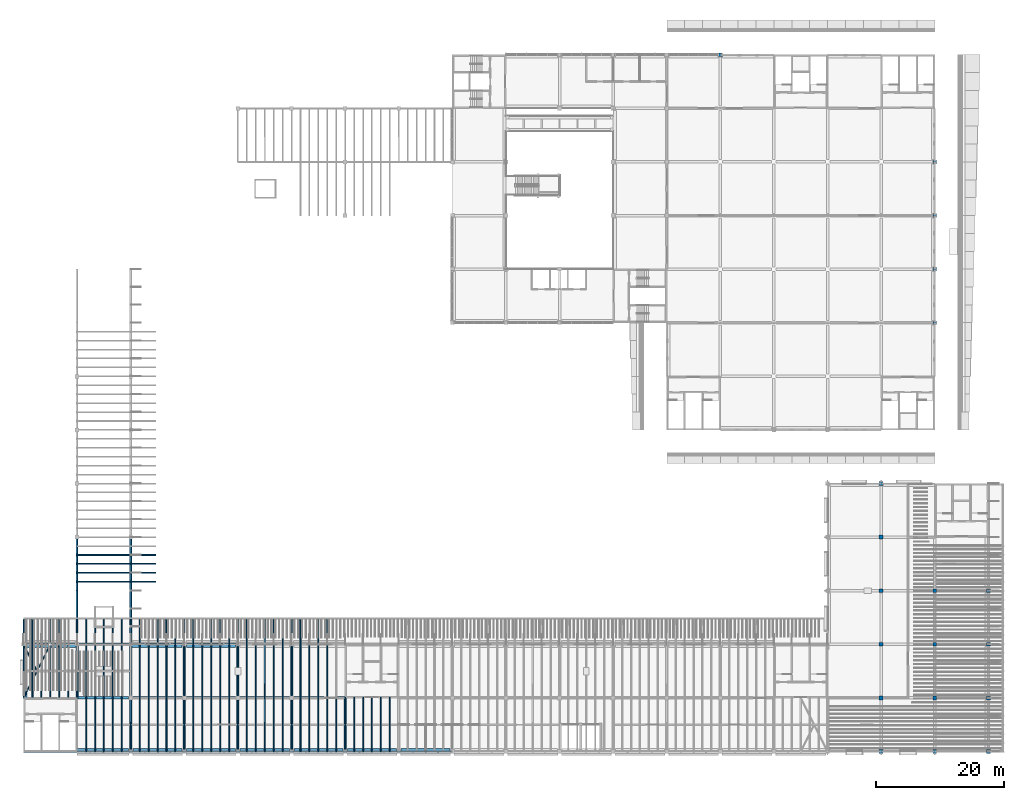
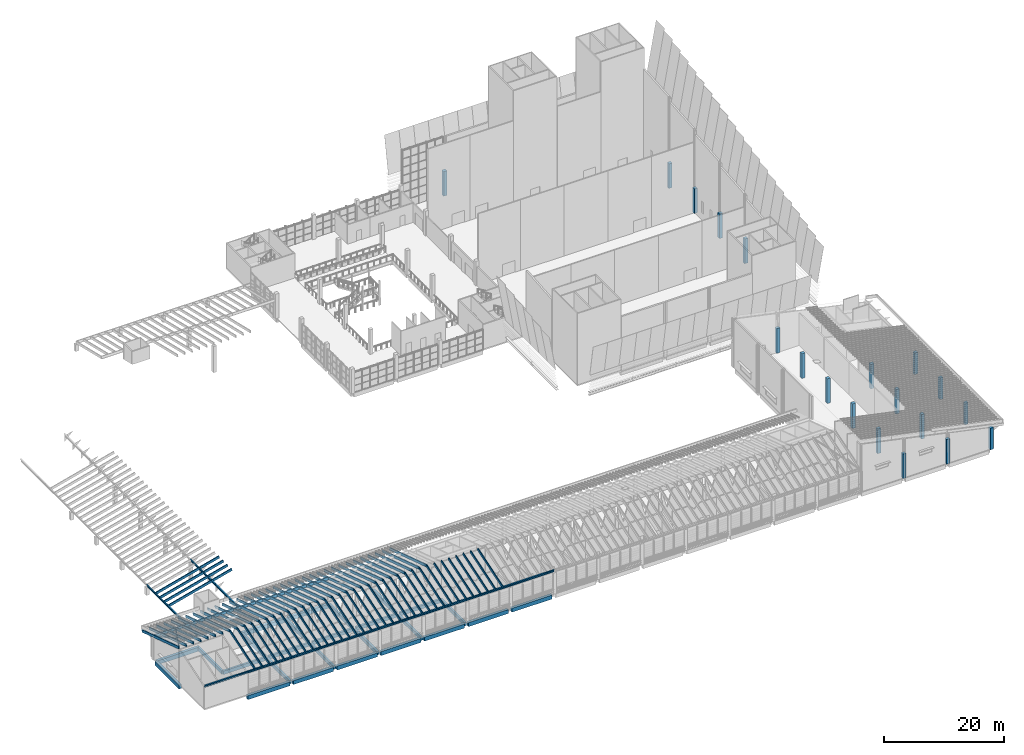
# One storey, part 3 of 59: 76 members, 42 beams, 19 columns.
"""IFC4 building model written with IfcOpenShell, lengths in metres."""

from ifc_helpers import new_model, si_unit, direction, frame, origin, origin_2d, place, context, subcontext, project, spatial, rectangle, hollow_circle, i_section, extrude, material, material_profile, profile_set, type_object, element, save


model = new_model("IFC4")

# Units and contexts
model_context = context("Model", 3, precision=1e-05, world=origin(), true_north=direction((0.0, 1.0)))
body_context = subcontext(model_context, "Body", "Model", "MODEL_VIEW")
ifc_project = project(units=[si_unit("LENGTHUNIT", "METRE"), si_unit("AREAUNIT", "SQUARE_METRE"), si_unit("VOLUMEUNIT", "CUBIC_METRE"), si_unit("PLANEANGLEUNIT", "RADIAN"), si_unit("MASSUNIT", "GRAM", prefix="KILO")], contexts=[model_context])

# Site, building, storey
site_placement = place(None, origin())
site = spatial("IfcSite", under=ifc_project, at=site_placement, CompositionType="ELEMENT")
building_placement = place(site_placement, origin())
building = spatial("IfcBuilding", under=site, at=building_placement, Name="Almond Square Museum", CompositionType="ELEMENT")
storey_placement = place(building_placement, frame((0.0, 0.0, 25.0)))
storey = spatial("IfcBuildingStorey", under=building, at=storey_placement, Name="L04", CompositionType="ELEMENT", Elevation=25.0)

# Columns
ifc_material_1 = material(Name="Concrete C40/50", Category="concrete")
ifc_material_profile_1 = material_profile(ifc_material_1, rectangle(XDim=0.60009765625, YDim=0.60009765625, at=origin_2d()))
ifc_profile_set_1 = profile_set([ifc_material_profile_1], Name="Concrete C40/50")
column_type = type_object("IfcColumnType", Name="RC column 600 x 600 C40/50", PredefinedType="COLUMN", material=ifc_profile_set_1)
for number, where, z_axis, x_axis, name in (
    (1, (115.199951171875, 109.199951171875, 0.0), (0.0, 0.0, 1.0), (1.0, 0.0, 0.0), "Column 15-N L04"),
    (2, (140.39990234375, 0.0, 0.0), (0.0, 0.0, 1.0), (1.0, 0.0, 0.0), "Column 18-A L04"),
    (3, (140.39990234375, 8.39990234375, 0.0), (0.0, 0.0, 1.0), (1.0, 0.0, 0.0), "Column 18-B L04"),
    (4, (140.39990234375, 16.800048828125, 0.0), (0.0, 0.0, 1.0), (1.0, 0.0, 0.0), "Column 18-C L04"),
    (5, (140.39990234375, 25.199951171875, 0.0), (0.0, 0.0, 1.0), (1.0, 0.0, 0.0), "Column 18-D L04"),
    (6, (140.39990234375, 33.60009765625, 0.0), (0.0, 0.0, 1.0), (1.0, 0.0, 0.0), "Column 18-E L04"),
    (7, (140.39990234375, 42.0, 0.0), (0.0, 0.0, 1.0), (1.0, 0.0, 0.0), "Column 18-F L04"),
    (8, (148.800048828125, 0.0, 0.0), (0.0, 0.0, 1.0), (1.0, 0.0, 0.0), "Column 19-A L04"),
    (9, (148.800048828125, 8.39990234375, 0.0), (0.0, 0.0, 1.0), (1.0, 0.0, 0.0), "Column 19-B L04"),
    (10, (148.800048828125, 16.800048828125, 0.0), (0.0, 0.0, 1.0), (1.0, 0.0, 0.0), "Column 19-C L04"),
    (11, (148.800048828125, 25.199951171875, 0.0), (0.0, 0.0, 1.0), (1.0, 0.0, 0.0), "Column 19-D L04"),
    (12, (148.800048828125, 67.199951171875, 0.0), (0.0, 0.0, 1.0), (1.0, 0.0, 0.0), "Column 19-I L04"),
    (13, (148.800048828125, 75.60009765625, 0.0), (0.0, 0.0, 1.0), (1.0, 0.0, 0.0), "Column 19-J L04"),
    (14, (148.800048828125, 84.0, 0.0), (0.0, 0.0, 1.0), (1.0, 0.0, 0.0), "Column 19-K L04"),
    (15, (148.800048828125, 92.39990234375, 0.0), (0.0, 0.0, 1.0), (1.0, 0.0, 0.0), "Column 19-L L04"),
):
    element("IfcColumn", number, at=place(storey_placement, frame(where, z_axis=z_axis, x_axis=x_axis)), inside=storey, type_object=column_type, Name=name, PredefinedType="COLUMN", context=body_context, shape_type="SweptSolid", body=[
        extrude(rectangle(XDim=0.60009765625, YDim=0.60009765625, at=origin_2d()), origin(), (0.0, 0.0, 1.0), 5.0),
    ])
for number, where, z_axis, x_axis, name in (
    (16, (157.199951171875, 0.0, 0.0), (0.0, 0.0, 1.0), (1.0, 0.0, 0.0), "Column 20-A L04"),
    (17, (157.199951171875, 8.39990234375, 0.0), (0.0, 0.0, 1.0), (1.0, 0.0, 0.0), "Column 20-B L04"),
    (18, (157.199951171875, 16.800048828125, 0.0), (0.0, 0.0, 1.0), (1.0, 0.0, 0.0), "Column 20-C L04"),
    (19, (157.199951171875, 25.199951171875, 0.0), (0.0, 0.0, 1.0), (1.0, 0.0, 0.0), "Column 20-D L04"),
):
    element("IfcColumn", number, at=place(storey_placement, frame(where, z_axis=z_axis, x_axis=x_axis)), inside=storey, type_object=column_type, Name=name, PredefinedType="COLUMN", context=body_context, shape_type="SweptSolid", body=[
        extrude(rectangle(XDim=0.60009765625, YDim=0.60009765625, at=origin_2d()), origin(), (0.0, 0.0, 1.0), 4.3525390625),
    ])

# Members
ifc_material_2 = material(Name="Glulam GL28h", Category="wood")
ifc_material_profile_2 = material_profile(ifc_material_2, rectangle(XDim=0.159912109375, YDim=0.5, at=origin_2d()))
ifc_profile_set_2 = profile_set([ifc_material_profile_2], Name="Glulam GL28h")
member_type_1 = type_object("IfcMemberType", Name="Glulam rafter GL28h 160x500", PredefinedType="RAFTER", material=ifc_profile_set_2)
for number, where, z_axis, x_axis, name in (
    (20, (14.39990234375, 26.60009765625, 1.838134765625), (0.96737379846, 0.0, 0.253353377821), (0.0, 1.0, 0.0), "V4W rafter 2.8"),
    (21, (14.39990234375, 28.0, 1.838134765625), (0.96737379846, 0.0, 0.253353377821), (0.0, 1.0, 0.0), "V4W rafter 2.9"),
    (22, (14.39990234375, 29.39990234375, 1.838134765625), (0.96737379846, 0.0, 0.253353377821), (0.0, 1.0, 0.0), "V4W rafter 2.10"),
    (23, (14.39990234375, 30.800048828125, 1.838134765625), (0.96737379846, 0.0, 0.253353377821), (0.0, 1.0, 0.0), "V4W rafter 2.11"),
):
    element("IfcMember", number, at=place(storey_placement, frame(where, z_axis=z_axis, x_axis=x_axis)), inside=storey, type_object=member_type_1, Name=name, PredefinedType="RAFTER", context=body_context, shape_type="SweptSolid", body=[
        extrude(rectangle(XDim=0.159912109375, YDim=0.5, at=origin_2d()), origin(), (0.0, 0.0, 1.0), 12.6630859375),
    ])
for number, where, z_axis, x_axis, name in (
    (24, (15.800048828125, 0.0, 4.632080078125), (0.0, 0.951058036, 0.309012317167), (-1.0, 0.0, 0.0), "V5S rafter 1.8"),
    (25, (17.199951171875, 0.0, 4.632080078125), (0.0, 0.951058036, 0.309012317167), (-1.0, 0.0, 0.0), "V5S rafter 1.9"),
    (26, (18.60009765625, 0.0, 4.632080078125), (0.0, 0.951058036, 0.309012317167), (-1.0, 0.0, 0.0), "V5S rafter 1.10"),
    (27, (20.0, 0.0, 4.632080078125), (0.0, 0.951058036, 0.309012317167), (-1.0, 0.0, 0.0), "V5S rafter 1.11"),
    (28, (21.39990234375, 0.0, 4.632080078125), (0.0, 0.951058036, 0.309012317167), (-1.0, 0.0, 0.0), "V5S rafter 1.12"),
    (29, (22.800048828125, 0.0, 4.632080078125), (0.0, 0.951058036, 0.309012317167), (-1.0, 0.0, 0.0), "V5S rafter 1.13"),
    (30, (24.199951171875, 0.0, 4.632080078125), (0.0, 0.951058036, 0.309012317167), (-1.0, 0.0, 0.0), "V5S rafter 1.14"),
    (31, (25.60009765625, 0.0, 4.632080078125), (0.0, 0.951058036, 0.309012317167), (-1.0, 0.0, 0.0), "V5S rafter 1.15"),
    (32, (27.0, 0.0, 4.632080078125), (0.0, 0.951058036, 0.309012317167), (-1.0, 0.0, 0.0), "V5S rafter 1.16"),
    (33, (28.39990234375, 0.0, 4.632080078125), (0.0, 0.951058036, 0.309012317167), (-1.0, 0.0, 0.0), "V5S rafter 1.17"),
    (34, (29.800048828125, 0.0, 4.632080078125), (0.0, 0.951058036, 0.309012317167), (-1.0, 0.0, 0.0), "V5S rafter 1.18"),
    (35, (31.199951171875, 0.0, 4.632080078125), (0.0, 0.951058036, 0.309012317167), (-1.0, 0.0, 0.0), "V5S rafter 1.19"),
    (36, (32.60009765625, 0.0, 4.632080078125), (0.0, 0.951058036, 0.309012317167), (-1.0, 0.0, 0.0), "V5S rafter 1.20"),
    (37, (34.0, 0.0, 4.632080078125), (0.0, 0.951058036, 0.309012317167), (-1.0, 0.0, 0.0), "V5S rafter 1.21"),
    (38, (35.39990234375, 0.0, 4.632080078125), (0.0, 0.951058036, 0.309012317167), (-1.0, 0.0, 0.0), "V5S rafter 1.22"),
    (39, (36.800048828125, 0.0, 4.632080078125), (0.0, 0.951058036, 0.309012317167), (-1.0, 0.0, 0.0), "V5S rafter 1.23"),
    (40, (38.199951171875, 0.0, 4.632080078125), (0.0, 0.951058036, 0.309012317167), (-1.0, 0.0, 0.0), "V5S rafter 1.24"),
    (41, (39.60009765625, 0.0, 4.632080078125), (0.0, 0.951058036, 0.309012317167), (-1.0, 0.0, 0.0), "V5S rafter 1.25"),
    (42, (41.0, 0.0, 4.632080078125), (0.0, 0.951058036, 0.309012317167), (-1.0, 0.0, 0.0), "V5S rafter 1.26"),
    (43, (42.39990234375, 0.0, 4.632080078125), (0.0, 0.951058036, 0.309012317167), (-1.0, 0.0, 0.0), "V5S rafter 1.27"),
    (44, (43.800048828125, 0.0, 4.632080078125), (0.0, 0.951058036, 0.309012317167), (-1.0, 0.0, 0.0), "V5S rafter 1.28"),
    (45, (45.199951171875, 0.0, 4.632080078125), (0.0, 0.951058036, 0.309012317167), (-1.0, 0.0, 0.0), "V5S rafter 1.29"),
    (46, (46.60009765625, 0.0, 4.632080078125), (0.0, 0.951058036, 0.309012317167), (-1.0, 0.0, 0.0), "V5S rafter 1.30"),
    (47, (48.0, 0.0, 4.632080078125), (0.0, 0.951058036, 0.309012317167), (-1.0, 0.0, 0.0), "V5S rafter 1.31"),
    (48, (49.39990234375, 0.0, 4.632080078125), (0.0, 0.951058036, 0.309012317167), (-1.0, 0.0, 0.0), "V5S rafter 1.32"),
    (49, (50.800048828125, 0.0, 4.632080078125), (0.0, 0.951058036, 0.309012317167), (-1.0, 0.0, 0.0), "V5S rafter 1.33"),
    (50, (52.199951171875, 0.0, 4.632080078125), (0.0, 0.951058036, 0.309012317167), (-1.0, 0.0, 0.0), "V5S rafter 1.34"),
    (51, (53.60009765625, 0.0, 4.632080078125), (0.0, 0.951058036, 0.309012317167), (-1.0, 0.0, 0.0), "V5S rafter 1.35"),
    (52, (55.0, 0.0, 4.632080078125), (0.0, 0.951058036, 0.309012317167), (-1.0, 0.0, 0.0), "V5S rafter 1.36"),
    (53, (56.39990234375, 0.0, 4.632080078125), (0.0, 0.951058036, 0.309012317167), (-1.0, 0.0, 0.0), "V5S rafter 1.37"),
    (54, (57.800048828125, 0.0, 4.632080078125), (0.0, 0.951058036, 0.309012317167), (-1.0, 0.0, 0.0), "V5S rafter 1.38"),
    (55, (59.199951171875, 0.0, 4.632080078125), (0.0, 0.951058036, 0.309012317167), (-1.0, 0.0, 0.0), "V5S rafter 1.39"),
    (56, (60.60009765625, 0.0, 4.632080078125), (0.0, 0.951058036, 0.309012317167), (-1.0, 0.0, 0.0), "V5S rafter 1.40"),
    (57, (62.0, 0.0, 4.632080078125), (0.0, 0.951058036, 0.309012317167), (-1.0, 0.0, 0.0), "V5S rafter 1.41"),
    (58, (63.39990234375, 0.0, 4.632080078125), (0.0, 0.951058036, 0.309012317167), (-1.0, 0.0, 0.0), "V5S rafter 1.42"),
):
    element("IfcMember", number, at=place(storey_placement, frame(where, z_axis=z_axis, x_axis=x_axis)), inside=storey, type_object=member_type_1, Name=name, PredefinedType="RAFTER", context=body_context, shape_type="SweptSolid", body=[
        extrude(rectangle(XDim=0.159912109375, YDim=0.5, at=origin_2d()), origin(), (0.0, 0.0, 1.0), 8.832275390625),
    ])
for number, where, z_axis, x_axis, name in (
    (59, (6.0, 8.39990234375, 7.361328125), (0.0, 0.951057467065, -0.309014068191), (-1.0, 0.0, 0.0), "V5S rafter 1.1"),
    (60, (7.39990234375, 8.39990234375, 7.361328125), (0.0, 0.951057467065, -0.309014068191), (-1.0, 0.0, 0.0), "V5S rafter 1.2"),
    (61, (8.800048828125, 8.39990234375, 7.361328125), (0.0, 0.951057467065, -0.309014068191), (-1.0, 0.0, 0.0), "V5S rafter 1.3"),
    (62, (10.199951171875, 8.39990234375, 7.361328125), (0.0, 0.951057467065, -0.309014068191), (-1.0, 0.0, 0.0), "V5S rafter 1.4"),
    (63, (11.60009765625, 8.39990234375, 7.361328125), (0.0, 0.951057467065, -0.309014068191), (-1.0, 0.0, 0.0), "V5S rafter 1.5"),
    (64, (13.0, 8.39990234375, 7.361328125), (0.0, 0.951057467065, -0.309014068191), (-1.0, 0.0, 0.0), "V5S rafter 1.6"),
    (65, (14.39990234375, 8.39990234375, 7.361328125), (0.0, 0.951057467065, -0.309014068191), (-1.0, 0.0, 0.0), "V5S rafter 1.7"),
    (66, (15.800048828125, 8.39990234375, 7.361328125), (0.0, 0.951057467065, -0.309014068191), (-1.0, 0.0, 0.0), "V5S rafter 1.8"),
    (67, (17.199951171875, 8.39990234375, 7.361328125), (0.0, 0.951057467065, -0.309014068191), (-1.0, 0.0, 0.0), "V5S rafter 1.9"),
    (68, (18.60009765625, 8.39990234375, 7.361328125), (0.0, 0.951057467065, -0.309014068191), (-1.0, 0.0, 0.0), "V5S rafter 1.10"),
    (69, (20.0, 8.39990234375, 7.361328125), (0.0, 0.951057467065, -0.309014068191), (-1.0, 0.0, 0.0), "V5S rafter 1.11"),
    (70, (21.39990234375, 8.39990234375, 7.361328125), (0.0, 0.951057467065, -0.309014068191), (-1.0, 0.0, 0.0), "V5S rafter 1.12"),
    (71, (22.800048828125, 8.39990234375, 7.361328125), (0.0, 0.951057467065, -0.309014068191), (-1.0, 0.0, 0.0), "V5S rafter 1.13"),
    (72, (24.199951171875, 8.39990234375, 7.361328125), (0.0, 0.951057467065, -0.309014068191), (-1.0, 0.0, 0.0), "V5S rafter 1.14"),
    (73, (25.60009765625, 8.39990234375, 7.361328125), (0.0, 0.951057467065, -0.309014068191), (-1.0, 0.0, 0.0), "V5S rafter 1.15"),
    (74, (27.0, 8.39990234375, 7.361328125), (0.0, 0.951057467065, -0.309014068191), (-1.0, 0.0, 0.0), "V5S rafter 1.16"),
    (75, (28.39990234375, 8.39990234375, 7.361328125), (0.0, 0.951057467065, -0.309014068191), (-1.0, 0.0, 0.0), "V5S rafter 1.17"),
    (76, (29.800048828125, 8.39990234375, 7.361328125), (0.0, 0.951057467065, -0.309014068191), (-1.0, 0.0, 0.0), "V5S rafter 1.18"),
    (77, (31.199951171875, 8.39990234375, 7.361328125), (0.0, 0.951057467065, -0.309014068191), (-1.0, 0.0, 0.0), "V5S rafter 1.19"),
    (78, (32.60009765625, 8.39990234375, 7.361328125), (0.0, 0.951057467065, -0.309014068191), (-1.0, 0.0, 0.0), "V5S rafter 1.20"),
    (79, (34.0, 8.39990234375, 7.361328125), (0.0, 0.951057467065, -0.309014068191), (-1.0, 0.0, 0.0), "V5S rafter 1.21"),
    (80, (35.39990234375, 8.39990234375, 7.361328125), (0.0, 0.951057467065, -0.309014068191), (-1.0, 0.0, 0.0), "V5S rafter 1.22"),
    (81, (36.800048828125, 8.39990234375, 7.361328125), (0.0, 0.951057467065, -0.309014068191), (-1.0, 0.0, 0.0), "V5S rafter 1.23"),
    (82, (38.199951171875, 8.39990234375, 7.361328125), (0.0, 0.951057467065, -0.309014068191), (-1.0, 0.0, 0.0), "V5S rafter 1.24"),
    (83, (39.60009765625, 8.39990234375, 7.361328125), (0.0, 0.951057467065, -0.309014068191), (-1.0, 0.0, 0.0), "V5S rafter 1.25"),
    (84, (41.0, 8.39990234375, 7.361328125), (0.0, 0.951057467065, -0.309014068191), (-1.0, 0.0, 0.0), "V5S rafter 1.26"),
    (85, (42.39990234375, 8.39990234375, 7.361328125), (0.0, 0.951057467065, -0.309014068191), (-1.0, 0.0, 0.0), "V5S rafter 1.27"),
    (86, (43.800048828125, 8.39990234375, 7.361328125), (0.0, 0.951057467065, -0.309014068191), (-1.0, 0.0, 0.0), "V5S rafter 1.28"),
    (87, (45.199951171875, 8.39990234375, 7.361328125), (0.0, 0.951057467065, -0.309014068191), (-1.0, 0.0, 0.0), "V5S rafter 1.29"),
    (88, (46.60009765625, 8.39990234375, 7.361328125), (0.0, 0.951057467065, -0.309014068191), (-1.0, 0.0, 0.0), "V5S rafter 1.30"),
    (89, (48.0, 8.39990234375, 7.361328125), (0.0, 0.951057467065, -0.309014068191), (-1.0, 0.0, 0.0), "V5S rafter 1.31"),
    (90, (49.39990234375, 8.39990234375, 7.361328125), (0.0, 0.951057467065, -0.309014068191), (-1.0, 0.0, 0.0), "V5S rafter 1.32"),
    (91, (50.800048828125, 8.39990234375, 7.361328125), (0.0, 0.951057467065, -0.309014068191), (-1.0, 0.0, 0.0), "V5S rafter 1.33"),
    (92, (52.199951171875, 8.39990234375, 7.361328125), (0.0, 0.951057467065, -0.309014068191), (-1.0, 0.0, 0.0), "V5S rafter 1.34"),
    (93, (53.60009765625, 8.39990234375, 7.361328125), (0.0, 0.951057467065, -0.309014068191), (-1.0, 0.0, 0.0), "V5S rafter 1.35"),
):
    element("IfcMember", number, at=place(storey_placement, frame(where, z_axis=z_axis, x_axis=x_axis)), inside=storey, type_object=member_type_1, Name=name, PredefinedType="RAFTER", context=body_context, shape_type="SweptSolid", body=[
        extrude(rectangle(XDim=0.159912109375, YDim=0.5, at=origin_2d()), origin(), (0.0, 0.0, 1.0), 12.88037109375),
    ])

# Beams
ifc_material_3 = material(Name="Concrete C40/50", Category="concrete")
ifc_material_profile_3 = material_profile(ifc_material_3, rectangle(XDim=0.39990234375, YDim=0.699951171875, at=origin_2d()))
ifc_profile_set_3 = profile_set([ifc_material_profile_3], Name="Concrete C40/50")
beam_type_1 = type_object("IfcBeamType", Name="RC beam 400 x 700 C40/50", PredefinedType="BEAM", material=ifc_profile_set_3)
beam_1_placement = place(storey_placement, frame((14.39990234375, 8.39990234375, -0.60009765625), z_axis=(1.0, 0.0, 0.0), x_axis=(0.0, 1.0, 0.0)))
element("IfcBeam", 94, at=beam_1_placement, inside=storey, type_object=beam_type_1, Name="Beam B 3-4 L04", PredefinedType="BEAM", context=body_context, shape_type="SweptSolid", body=[
    extrude(rectangle(XDim=0.39990234375, YDim=0.699951171875, at=origin_2d()), origin(), (0.0, 0.0, 1.0), 8.050048828125),
])
beam_2_placement = place(storey_placement, frame((23.14990234375, 8.39990234375, -0.60009765625), z_axis=(1.0, 0.0, 0.0), x_axis=(0.0, 1.0, 0.0)))
element("IfcBeam", 95, at=beam_2_placement, inside=storey, type_object=beam_type_1, Name="Beam B 4-5 L04", PredefinedType="BEAM", context=body_context, shape_type="SweptSolid", body=[
    extrude(rectangle(XDim=0.39990234375, YDim=0.699951171875, at=origin_2d()), origin(), (0.0, 0.0, 1.0), 7.7001953125),
])
for number, where, z_axis, x_axis, name in (
    (96, (31.550048828125, 8.39990234375, -0.60009765625), (1.0, 0.0, 0.0), (0.0, 1.0, 0.0), "Beam B 5-6 L04"),
    (97, (39.949951171875, 8.39990234375, -0.60009765625), (1.0, 0.0, 0.0), (0.0, 1.0, 0.0), "Beam B 6-7 L04"),
):
    element("IfcBeam", number, at=place(storey_placement, frame(where, z_axis=z_axis, x_axis=x_axis)), inside=storey, type_object=beam_type_1, Name=name, PredefinedType="BEAM", context=body_context, shape_type="SweptSolid", body=[
        extrude(rectangle(XDim=0.39990234375, YDim=0.699951171875, at=origin_2d()), origin(), (0.0, 0.0, 1.0), 7.699951171875),
    ])
beam_3_placement = place(storey_placement, frame((48.35009765625, 8.39990234375, -0.60009765625), z_axis=(1.0, 0.0, 0.0), x_axis=(0.0, 1.0, 0.0)))
element("IfcBeam", 98, at=beam_3_placement, inside=storey, type_object=beam_type_1, Name="Beam B 7-8 L04", PredefinedType="BEAM", context=body_context, shape_type="SweptSolid", body=[
    extrude(rectangle(XDim=0.39990234375, YDim=0.699951171875, at=origin_2d()), origin(), (0.0, 0.0, 1.0), 8.0498046875),
])
beam_4_placement = place(storey_placement, frame((14.39990234375, 8.39990234375, -0.60009765625), z_axis=(0.0, 1.0, 0.0), x_axis=(-1.0, 0.0, 0.0)))
element("IfcBeam", 99, at=beam_4_placement, inside=storey, type_object=beam_type_1, Name="Beam 3 B-C L04", PredefinedType="BEAM", context=body_context, shape_type="SweptSolid", body=[
    extrude(rectangle(XDim=0.39990234375, YDim=0.699951171875, at=origin_2d()), origin(), (0.0, 0.0, 1.0), 8.400146484375),
])
beam_5_placement = place(storey_placement, frame((22.800048828125, 0.35009765625, -0.60009765625), z_axis=(0.0, 1.0, 0.0), x_axis=(-1.0, 0.0, 0.0)))
element("IfcBeam", 100, at=beam_5_placement, inside=storey, type_object=beam_type_1, Name="Beam 4 A-B L04", PredefinedType="BEAM", context=body_context, shape_type="SweptSolid", body=[
    extrude(rectangle(XDim=0.39990234375, YDim=0.699951171875, at=origin_2d()), origin(), (0.0, 0.0, 1.0), 7.699951171875),
])
beam_6_placement = place(storey_placement, frame((22.800048828125, 8.75, -0.60009765625), z_axis=(0.0, 1.0, 0.0), x_axis=(-1.0, 0.0, 0.0)))
element("IfcBeam", 101, at=beam_6_placement, inside=storey, type_object=beam_type_1, Name="Beam 4 B-C L04", PredefinedType="BEAM", context=body_context, shape_type="SweptSolid", body=[
    extrude(rectangle(XDim=0.39990234375, YDim=0.699951171875, at=origin_2d()), origin(), (0.0, 0.0, 1.0), 8.050048828125),
])
for number, where, z_axis, x_axis, name in (
    (102, (31.199951171875, 0.35009765625, -0.60009765625), (0.0, 1.0, 0.0), (-1.0, 0.0, 0.0), "Beam 5 A-B L04"),
    (103, (31.199951171875, 8.75, -0.60009765625), (0.0, 1.0, 0.0), (-1.0, 0.0, 0.0), "Beam 5 B-C L04"),
    (104, (39.60009765625, 0.35009765625, -0.60009765625), (0.0, 1.0, 0.0), (-1.0, 0.0, 0.0), "Beam 6 A-B L04"),
    (105, (39.60009765625, 8.75, -0.60009765625), (0.0, 1.0, 0.0), (-1.0, 0.0, 0.0), "Beam 6 B-C L04"),
    (106, (48.0, 0.35009765625, -0.60009765625), (0.0, 1.0, 0.0), (-1.0, 0.0, 0.0), "Beam 7 A-B L04"),
    (107, (48.0, 8.75, -0.60009765625), (0.0, 1.0, 0.0), (-1.0, 0.0, 0.0), "Beam 7 B-C L04"),
):
    element("IfcBeam", number, at=place(storey_placement, frame(where, z_axis=z_axis, x_axis=x_axis)), inside=storey, type_object=beam_type_1, Name=name, PredefinedType="BEAM", context=body_context, shape_type="SweptSolid", body=[
        extrude(rectangle(XDim=0.39990234375, YDim=0.699951171875, at=origin_2d()), origin(), (0.0, 0.0, 1.0), 7.699951171875),
    ])
beam_7_placement = place(storey_placement, frame((56.39990234375, 0.35009765625, -0.60009765625), z_axis=(0.0, 1.0, 0.0), x_axis=(-1.0, 0.0, 0.0)))
element("IfcBeam", 108, at=beam_7_placement, inside=storey, type_object=beam_type_1, Name="Beam 8 A-B L04", PredefinedType="BEAM", context=body_context, shape_type="SweptSolid", body=[
    extrude(rectangle(XDim=0.39990234375, YDim=0.699951171875, at=origin_2d()), origin(), (0.0, 0.0, 1.0), 8.0498046875),
])
ifc_material_4 = material(Name="Concrete C40/50", Category="concrete")
ifc_material_profile_4 = material_profile(ifc_material_4, rectangle(XDim=0.5, YDim=0.800048828125, at=origin_2d()))
ifc_profile_set_4 = profile_set([ifc_material_profile_4], Name="Concrete C40/50")
beam_type_2 = type_object("IfcBeamType", Name="RC edge beam 500 x 800 C40/50", PredefinedType="BEAM", material=ifc_profile_set_4)
beam_8_placement = place(storey_placement, frame((14.39990234375, 0.25, -0.64990234375), z_axis=(1.0, 0.0, 0.0), x_axis=(0.0, 1.0, 0.0)))
element("IfcBeam", 109, at=beam_8_placement, inside=storey, type_object=beam_type_2, Name="Edge beam A 3-4 L04", PredefinedType="BEAM", context=body_context, shape_type="SweptSolid", body=[
    extrude(rectangle(XDim=0.5, YDim=0.800048828125, at=origin_2d()), origin(), (0.0, 0.0, 1.0), 8.050048828125),
])
beam_9_placement = place(storey_placement, frame((23.14990234375, 0.25, -0.64990234375), z_axis=(1.0, 0.0, 0.0), x_axis=(0.0, 1.0, 0.0)))
element("IfcBeam", 110, at=beam_9_placement, inside=storey, type_object=beam_type_2, Name="Edge beam A 4-5 L04", PredefinedType="BEAM", context=body_context, shape_type="SweptSolid", body=[
    extrude(rectangle(XDim=0.5, YDim=0.800048828125, at=origin_2d()), origin(), (0.0, 0.0, 1.0), 7.7001953125),
])
for number, where, z_axis, x_axis, name in (
    (111, (31.550048828125, 0.25, -0.64990234375), (1.0, 0.0, 0.0), (0.0, 1.0, 0.0), "Edge beam A 5-6 L04"),
    (112, (39.949951171875, 0.25, -0.64990234375), (1.0, 0.0, 0.0), (0.0, 1.0, 0.0), "Edge beam A 6-7 L04"),
    (113, (48.35009765625, 0.25, -0.64990234375), (1.0, 0.0, 0.0), (0.0, 1.0, 0.0), "Edge beam A 7-8 L04"),
    (114, (56.75, 0.25, -0.64990234375), (1.0, 0.0, 0.0), (0.0, 1.0, 0.0), "Edge beam A 8-9 L04"),
):
    element("IfcBeam", number, at=place(storey_placement, frame(where, z_axis=z_axis, x_axis=x_axis)), inside=storey, type_object=beam_type_2, Name=name, PredefinedType="BEAM", context=body_context, shape_type="SweptSolid", body=[
        extrude(rectangle(XDim=0.5, YDim=0.800048828125, at=origin_2d()), origin(), (0.0, 0.0, 1.0), 7.699951171875),
    ])
beam_10_placement = place(storey_placement, frame((65.14990234375, 0.25, -0.64990234375), z_axis=(1.0, 0.0, 0.0), x_axis=(0.0, 1.0, 0.0)))
element("IfcBeam", 115, at=beam_10_placement, inside=storey, type_object=beam_type_2, Name="Edge beam A 9-10 L04", PredefinedType="BEAM", context=body_context, shape_type="SweptSolid", body=[
    extrude(rectangle(XDim=0.5, YDim=0.800048828125, at=origin_2d()), origin(), (0.0, 0.0, 1.0), 7.7001953125),
])
beam_11_placement = place(storey_placement, frame((6.35009765625, 16.550048828125, -0.64990234375), z_axis=(1.0, 0.0, 0.0), x_axis=(0.0, 1.0, 0.0)))
element("IfcBeam", 116, at=beam_11_placement, inside=storey, type_object=beam_type_2, Name="Edge beam C 2-3 L04", PredefinedType="BEAM", context=body_context, shape_type="SweptSolid", body=[
    extrude(rectangle(XDim=0.5, YDim=0.800048828125, at=origin_2d()), origin(), (0.0, 0.0, 1.0), 8.0498046875),
])
beam_12_placement = place(storey_placement, frame((22.800048828125, 16.550048828125, -0.64990234375), z_axis=(1.0, 0.0, 0.0), x_axis=(0.0, 1.0, 0.0)))
element("IfcBeam", 117, at=beam_12_placement, inside=storey, type_object=beam_type_2, Name="Edge beam C 4-5 L04", PredefinedType="BEAM", context=body_context, shape_type="SweptSolid", body=[
    extrude(rectangle(XDim=0.5, YDim=0.800048828125, at=origin_2d()), origin(), (0.0, 0.0, 1.0), 8.050048828125),
])
beam_13_placement = place(storey_placement, frame((31.550048828125, 16.550048828125, -0.64990234375), z_axis=(1.0, 0.0, 0.0), x_axis=(0.0, 1.0, 0.0)))
element("IfcBeam", 118, at=beam_13_placement, inside=storey, type_object=beam_type_2, Name="Edge beam C 5-6 L04", PredefinedType="BEAM", context=body_context, shape_type="SweptSolid", body=[
    extrude(rectangle(XDim=0.5, YDim=0.800048828125, at=origin_2d()), origin(), (0.0, 0.0, 1.0), 7.699951171875),
])
beam_14_placement = place(storey_placement, frame((6.25, 8.39990234375, -0.64990234375), z_axis=(0.0, 1.0, 0.0), x_axis=(-1.0, 0.0, 0.0)))
element("IfcBeam", 119, at=beam_14_placement, inside=storey, type_object=beam_type_2, Name="Edge beam 2 B-C L04", PredefinedType="BEAM", context=body_context, shape_type="SweptSolid", body=[
    extrude(rectangle(XDim=0.5, YDim=0.800048828125, at=origin_2d()), origin(), (0.0, 0.0, 1.0), 8.050048828125),
])
ifc_material_5 = material(Name="Structural steel S355", Category="steel")
ifc_material_profile_5 = material_profile(ifc_material_5, i_section(OverallWidth=0.208984375, OverallDepth=0.532958984375, WebThickness=0.01025390625, FlangeThickness=0.015625, at=origin_2d()))
ifc_profile_set_5 = profile_set([ifc_material_profile_5], Name="Structural steel S355")
beam_type_3 = type_object("IfcBeamType", Name="Roof beam W530x92", PredefinedType="BEAM", material=ifc_profile_set_5)
beam_15_placement = place(storey_placement, frame((14.39990234375, 16.800048828125, 1.821044921875), z_axis=(0.0, 1.0, 0.0), x_axis=(-0.967372193034, 0.0, -0.253359507704)))
element("IfcBeam", 120, at=beam_15_placement, inside=storey, type_object=beam_type_3, Name="V4W roof beam 2.1", PredefinedType="BEAM", context=body_context, shape_type="SweptSolid", body=[
    extrude(i_section(OverallWidth=0.208984375, OverallDepth=0.532958984375, WebThickness=0.01025390625, FlangeThickness=0.015625, at=origin_2d()), origin(), (0.0, 0.0, 1.0), 8.39990234375),
])
beam_16_placement = place(storey_placement, frame((14.39990234375, 25.199951171875, 1.821044921875), z_axis=(0.0, 1.0, 0.0), x_axis=(-0.967372193034, 0.0, -0.253359507704)))
element("IfcBeam", 121, at=beam_16_placement, inside=storey, type_object=beam_type_3, Name="V4W roof beam 2.2", PredefinedType="BEAM", context=body_context, shape_type="SweptSolid", body=[
    extrude(i_section(OverallWidth=0.208984375, OverallDepth=0.532958984375, WebThickness=0.01025390625, FlangeThickness=0.015625, at=origin_2d()), origin(), (0.0, 0.0, 1.0), 8.400146484375),
])
beam_17_placement = place(storey_placement, frame((22.800048828125, 16.800048828125, 4.02099609375), z_axis=(0.0, 1.0, 0.0), x_axis=(-0.967372193034, 0.0, -0.253359507704)))
element("IfcBeam", 122, at=beam_17_placement, inside=storey, type_object=beam_type_3, Name="V4W roof beam 3.1", PredefinedType="BEAM", context=body_context, shape_type="SweptSolid", body=[
    extrude(i_section(OverallWidth=0.208984375, OverallDepth=0.532958984375, WebThickness=0.01025390625, FlangeThickness=0.015625, at=origin_2d()), origin(), (0.0, 0.0, 1.0), 8.39990234375),
])
beam_18_placement = place(storey_placement, frame((22.800048828125, 25.199951171875, 4.02099609375), z_axis=(0.0, 1.0, 0.0), x_axis=(-0.967372193034, 0.0, -0.253359507704)))
element("IfcBeam", 123, at=beam_18_placement, inside=storey, type_object=beam_type_3, Name="V4W roof beam 3.2", PredefinedType="BEAM", context=body_context, shape_type="SweptSolid", body=[
    extrude(i_section(OverallWidth=0.208984375, OverallDepth=0.532958984375, WebThickness=0.01025390625, FlangeThickness=0.015625, at=origin_2d()), origin(), (0.0, 0.0, 1.0), 8.400146484375),
])
beam_19_placement = place(storey_placement, frame((6.0, 0.0, 4.614501953125), z_axis=(1.0, 0.0, 0.0), x_axis=(0.0, 0.951056516295, 0.309016994375)))
element("IfcBeam", 124, at=beam_19_placement, inside=storey, type_object=beam_type_3, Name="V5S roof beam 1.1", PredefinedType="BEAM", context=body_context, shape_type="SweptSolid", body=[
    extrude(i_section(OverallWidth=0.208984375, OverallDepth=0.532958984375, WebThickness=0.01025390625, FlangeThickness=0.015625, at=origin_2d()), origin(), (0.0, 0.0, 1.0), 8.39990234375),
])
beam_20_placement = place(storey_placement, frame((14.39990234375, 0.0, 4.614501953125), z_axis=(1.0, 0.0, 0.0), x_axis=(0.0, 0.951056516295, 0.309016994375)))
element("IfcBeam", 125, at=beam_20_placement, inside=storey, type_object=beam_type_3, Name="V5S roof beam 1.2", PredefinedType="BEAM", context=body_context, shape_type="SweptSolid", body=[
    extrude(i_section(OverallWidth=0.208984375, OverallDepth=0.532958984375, WebThickness=0.01025390625, FlangeThickness=0.015625, at=origin_2d()), origin(), (0.0, 0.0, 1.0), 8.400146484375),
])
beam_21_placement = place(storey_placement, frame((22.800048828125, 0.0, 4.614501953125), z_axis=(1.0, 0.0, 0.0), x_axis=(0.0, 0.951056516295, 0.309016994375)))
element("IfcBeam", 126, at=beam_21_placement, inside=storey, type_object=beam_type_3, Name="V5S roof beam 1.3", PredefinedType="BEAM", context=body_context, shape_type="SweptSolid", body=[
    extrude(i_section(OverallWidth=0.208984375, OverallDepth=0.532958984375, WebThickness=0.01025390625, FlangeThickness=0.015625, at=origin_2d()), origin(), (0.0, 0.0, 1.0), 8.39990234375),
])
beam_22_placement = place(storey_placement, frame((31.199951171875, 0.0, 4.614501953125), z_axis=(1.0, 0.0, 0.0), x_axis=(0.0, 0.951056516295, 0.309016994375)))
element("IfcBeam", 127, at=beam_22_placement, inside=storey, type_object=beam_type_3, Name="V5S roof beam 1.4", PredefinedType="BEAM", context=body_context, shape_type="SweptSolid", body=[
    extrude(i_section(OverallWidth=0.208984375, OverallDepth=0.532958984375, WebThickness=0.01025390625, FlangeThickness=0.015625, at=origin_2d()), origin(), (0.0, 0.0, 1.0), 8.400146484375),
])
for number, where, z_axis, x_axis, name in (
    (128, (39.60009765625, 0.0, 4.614501953125), (1.0, 0.0, 0.0), (0.0, 0.951056516295, 0.309016994375), "V5S roof beam 1.5"),
    (129, (48.0, 0.0, 4.614501953125), (1.0, 0.0, 0.0), (0.0, 0.951056516295, 0.309016994375), "V5S roof beam 1.6"),
):
    element("IfcBeam", number, at=place(storey_placement, frame(where, z_axis=z_axis, x_axis=x_axis)), inside=storey, type_object=beam_type_3, Name=name, PredefinedType="BEAM", context=body_context, shape_type="SweptSolid", body=[
        extrude(i_section(OverallWidth=0.208984375, OverallDepth=0.532958984375, WebThickness=0.01025390625, FlangeThickness=0.015625, at=origin_2d()), origin(), (0.0, 0.0, 1.0), 8.39990234375),
    ])
beam_23_placement = place(storey_placement, frame((56.39990234375, 0.0, 4.614501953125), z_axis=(1.0, 0.0, 0.0), x_axis=(0.0, 0.951056516295, 0.309016994375)))
element("IfcBeam", 130, at=beam_23_placement, inside=storey, type_object=beam_type_3, Name="V5S roof beam 1.7", PredefinedType="BEAM", context=body_context, shape_type="SweptSolid", body=[
    extrude(i_section(OverallWidth=0.208984375, OverallDepth=0.532958984375, WebThickness=0.01025390625, FlangeThickness=0.015625, at=origin_2d()), origin(), (0.0, 0.0, 1.0), 8.400146484375),
])
for number, where, z_axis, x_axis, name in (
    (131, (64.800048828125, 0.0, 4.614501953125), (1.0, 0.0, 0.0), (0.0, 0.951056516295, 0.309016994375), "V5S roof beam 1.8"),
    (132, (6.0, 16.800048828125, 4.614501953125), (1.0, 0.0, 0.0), (0.0, 0.951056516295, -0.309016994375), "V5S roof beam 2.1"),
):
    element("IfcBeam", number, at=place(storey_placement, frame(where, z_axis=z_axis, x_axis=x_axis)), inside=storey, type_object=beam_type_3, Name=name, PredefinedType="BEAM", context=body_context, shape_type="SweptSolid", body=[
        extrude(i_section(OverallWidth=0.208984375, OverallDepth=0.532958984375, WebThickness=0.01025390625, FlangeThickness=0.015625, at=origin_2d()), origin(), (0.0, 0.0, 1.0), 8.39990234375),
    ])
beam_24_placement = place(storey_placement, frame((14.39990234375, 16.800048828125, 4.614501953125), z_axis=(1.0, 0.0, 0.0), x_axis=(0.0, 0.951056516295, -0.309016994375)))
element("IfcBeam", 133, at=beam_24_placement, inside=storey, type_object=beam_type_3, Name="V5S roof beam 2.2", PredefinedType="BEAM", context=body_context, shape_type="SweptSolid", body=[
    extrude(i_section(OverallWidth=0.208984375, OverallDepth=0.532958984375, WebThickness=0.01025390625, FlangeThickness=0.015625, at=origin_2d()), origin(), (0.0, 0.0, 1.0), 8.400146484375),
])
beam_25_placement = place(storey_placement, frame((22.800048828125, 16.800048828125, 4.614501953125), z_axis=(1.0, 0.0, 0.0), x_axis=(0.0, 0.951056516295, -0.309016994375)))
element("IfcBeam", 134, at=beam_25_placement, inside=storey, type_object=beam_type_3, Name="V5S roof beam 2.3", PredefinedType="BEAM", context=body_context, shape_type="SweptSolid", body=[
    extrude(i_section(OverallWidth=0.208984375, OverallDepth=0.532958984375, WebThickness=0.01025390625, FlangeThickness=0.015625, at=origin_2d()), origin(), (0.0, 0.0, 1.0), 8.39990234375),
])
beam_26_placement = place(storey_placement, frame((31.199951171875, 16.800048828125, 4.614501953125), z_axis=(1.0, 0.0, 0.0), x_axis=(0.0, 0.951056516295, -0.309016994375)))
element("IfcBeam", 135, at=beam_26_placement, inside=storey, type_object=beam_type_3, Name="V5S roof beam 2.4", PredefinedType="BEAM", context=body_context, shape_type="SweptSolid", body=[
    extrude(i_section(OverallWidth=0.208984375, OverallDepth=0.532958984375, WebThickness=0.01025390625, FlangeThickness=0.015625, at=origin_2d()), origin(), (0.0, 0.0, 1.0), 8.400146484375),
])

# Members
ifc_material_6 = material(Name="Structural steel S355", Category="steel")
ifc_material_profile_6 = material_profile(ifc_material_6, hollow_circle(Radius=0.109619140625, WallThickness=0.010009765625, at=origin_2d()))
ifc_profile_set_6 = profile_set([ifc_material_profile_6], Name="Structural steel S355")
member_type_2 = type_object("IfcMemberType", Name="Roof brace CHS 219.1x10", PredefinedType="BRACE", material=ifc_profile_set_6)
member_1_placement = place(storey_placement, frame((6.0, 8.419921875, 7.354736328125), z_axis=(0.431111704868, 0.858138586863, -0.278820486448), x_axis=(-0.89357487217, 0.448914187598, 0.0)))
element("IfcMember", 136, at=member_1_placement, inside=storey, type_object=member_type_2, Name="V5S roof plane brace", PredefinedType="BRACE", context=body_context, shape_type="SweptSolid", body=[
    extrude(hollow_circle(Radius=0.109619140625, WallThickness=0.010009765625, at=origin_2d()), origin(), (0.0, 0.0, 1.0), 9.7421875),
])
member_2_placement = place(storey_placement, frame((8.10009765625, 12.60009765625, 5.99658203125), z_axis=(-0.431141378704, 0.858122709229, -0.278823470092), x_axis=(-0.893559144897, -0.448945491759, 0.0)))
element("IfcMember", 137, at=member_2_placement, inside=storey, type_object=member_type_2, Name="V5S roof plane brace", PredefinedType="BRACE", context=body_context, shape_type="SweptSolid", body=[
    extrude(hollow_circle(Radius=0.109619140625, WallThickness=0.010009765625, at=origin_2d()), origin(), (0.0, 0.0, 1.0), 4.87109375),
])

save(model, "model.ifc")
